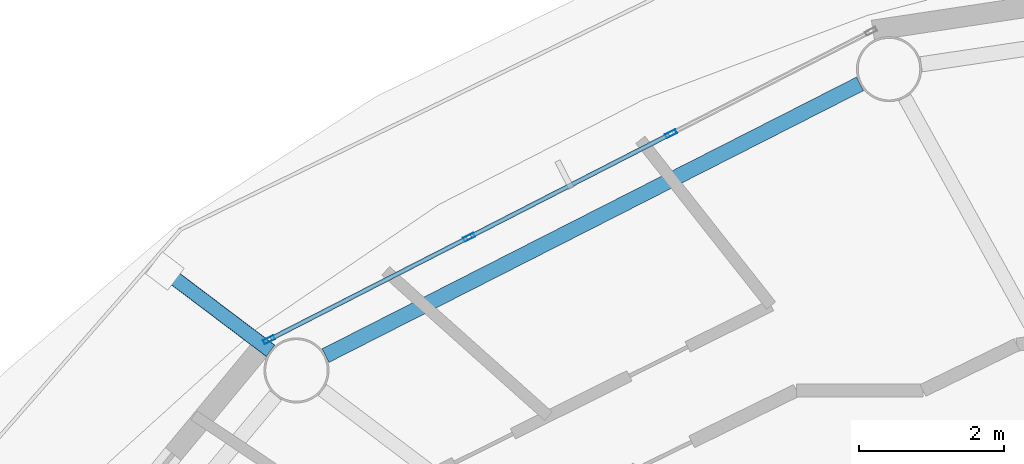
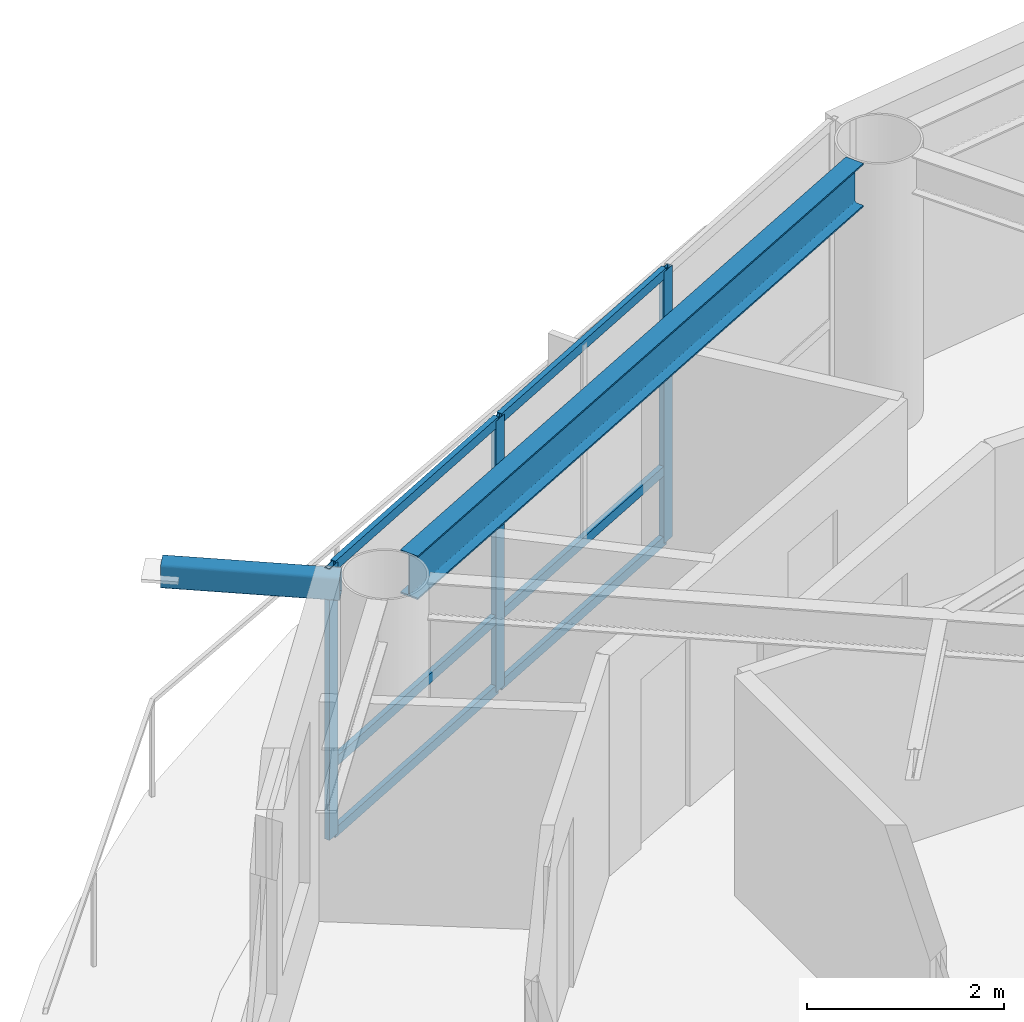
# One storey, part 8 of 23: 10 members, 1 beam, 1 element without a shape of its own.
"""IFC4 building model written with IfcOpenShell, lengths in metres."""

from ifc_helpers import new_model, si_unit, direction, frame, origin, origin_2d, place, context, subcontext, project, spatial, hollow_rectangle, i_section, extrude, material, layer, layer_set, material_profile, profile_set, type_object, element, aggregate, save


model = new_model("IFC4")

# Units and contexts
model_context = context("Model", 3, precision=1e-05, world=origin(), true_north=direction((0.0, 1.0)))
body_context = subcontext(model_context, "Body", "Model", "MODEL_VIEW")
ifc_project = project(units=[si_unit("LENGTHUNIT", "METRE"), si_unit("AREAUNIT", "SQUARE_METRE"), si_unit("VOLUMEUNIT", "CUBIC_METRE"), si_unit("PLANEANGLEUNIT", "RADIAN"), si_unit("MASSUNIT", "GRAM", prefix="KILO")], contexts=[model_context])

# Site, building, storey
site_placement = place(None, origin())
site = spatial("IfcSite", under=ifc_project, at=site_placement, CompositionType="ELEMENT")
building_placement = place(site_placement, origin())
building = spatial("IfcBuilding", under=site, at=building_placement, Name="Sarneth Arch Tower", CompositionType="ELEMENT")
storey_placement = place(building_placement, frame((0.0, 0.0, 231.60009765625)))
storey = spatial("IfcBuildingStorey", under=building, at=storey_placement, Name="L59", CompositionType="ELEMENT", Elevation=231.60009765625)

# Beam
ifc_material_1 = material(Name="Steel S355", Category="steel")
ifc_material_profile_1 = material_profile(ifc_material_1, i_section(OverallWidth=0.2109375, OverallDepth=0.5390625, WebThickness=0.01171875, FlangeThickness=0.018798828125, FilletRadius=0.01806640625, at=origin_2d()), Name="W530x109")
ifc_profile_set_1 = profile_set([ifc_material_profile_1], Name="Steel S355")
beam_type = type_object("IfcBeamType", Name="BM-RAD-530B", PredefinedType="BEAM", material=ifc_profile_set_1)
beam_placement = place(storey_placement, frame((37.80810546875, 59.534423828125, 3.09033203125), z_axis=(-0.891376248079, -0.453264144138, 0.0), x_axis=(0.453264144138, -0.891376248079, 0.0)))
element("IfcBeam", 1, at=beam_placement, inside=storey, type_object=beam_type, Name="L59 Perimeter spandrel beam 06", PredefinedType="BEAM", context=body_context, shape_type="SweptSolid", body=[
    extrude(i_section(OverallWidth=0.2109375, OverallDepth=0.5390625, WebThickness=0.01171875, FlangeThickness=0.018798828125, FilletRadius=0.01806640625, at=origin_2d()), origin(), (0.0, 0.0, 1.0), 8.281982421875),
])

# Curtain wall, members
ifc_material_2 = material(Name="Anodised aluminium Type AA25 and solar-control low-e laminated IGU", Category="aluminium")
ifc_layer = layer(ifc_material_2, 0.179931640625)
ifc_layer_set = layer_set([ifc_layer], Name="Anodised aluminium Type AA25 and solar-control low-e laminated IGU")
curtain_wall_type = type_object("IfcCurtainWallType", Name="CW-RES-HIGH", PredefinedType="NOTDEFINED", material=ifc_layer_set)
curtain_wall_placement = place(storey_placement, origin())
curtain_wall = element("IfcCurtainWall", 2, at=curtain_wall_placement, inside=storey, type_object=curtain_wall_type, Name="L59 Unitised curtain wall facet 06", PredefinedType="NOTDEFINED")
ifc_material_3 = material(Name="Anodised Aluminium 6063-T6", Category="aluminium")
ifc_material_profile_2 = material_profile(ifc_material_3, hollow_rectangle(XDim=0.06005859375, YDim=0.159912109375, WallThickness=0.00390625, at=origin_2d()), Name="AL-MULL-160x60x4")
ifc_profile_set_2 = profile_set([ifc_material_profile_2], Name="Anodised Aluminium 6063-T6")
member_type_1 = type_object("IfcMemberType", Name="CW-MULLION", PredefinedType="MULLION", material=ifc_profile_set_2)
member_1_placement = place(storey_placement, frame((35.197509765625, 58.844970703125, 0.0), z_axis=(0.0, 0.0, 1.0), x_axis=(0.455941901753, -0.890009540525, 0.0)))
member_1 = element("IfcMember", 3, at=member_1_placement, type_object=member_type_1, Name="CW-SYS-6 mullion 2", PredefinedType="MULLION", context=body_context, shape_type="SweptSolid", body=[
    extrude(hollow_rectangle(XDim=0.06005859375, YDim=0.159912109375, WallThickness=0.00390625, at=origin_2d()), origin(), (0.0, 0.0, 1.0), 3.35986328125),
])
member_2_placement = place(storey_placement, frame((32.407470703125, 57.415771484375, 0.0), z_axis=(0.0, 0.0, 1.0), x_axis=(0.455941901753, -0.890009540525, 0.0)))
member_2 = element("IfcMember", 4, at=member_2_placement, type_object=member_type_1, Name="CW-SYS-6 mullion 3", PredefinedType="MULLION", context=body_context, shape_type="SweptSolid", body=[
    extrude(hollow_rectangle(XDim=0.06005859375, YDim=0.159912109375, WallThickness=0.00390625, at=origin_2d()), origin(), (0.0, 0.0, 1.0), 3.35986328125),
])
member_3_placement = place(storey_placement, frame((29.644287109375, 56.000244140625, 0.0), z_axis=(0.0, 0.0, 1.0), x_axis=(0.455941901753, -0.890009540525, 0.0)))
member_3 = element("IfcMember", 5, at=member_3_placement, type_object=member_type_1, Name="CW-SYS-6 mullion 4", PredefinedType="MULLION", context=body_context, shape_type="SweptSolid", body=[
    extrude(hollow_rectangle(XDim=0.06005859375, YDim=0.159912109375, WallThickness=0.00390625, at=origin_2d()), origin(), (0.0, 0.0, 1.0), 3.35986328125),
])
ifc_material_4 = material(Name="Anodised Aluminium 6063-T6", Category="aluminium")
ifc_material_profile_3 = material_profile(ifc_material_4, hollow_rectangle(XDim=0.06005859375, YDim=0.1201171875, WallThickness=0.00390625, at=origin_2d()), Name="AL-TRAN-120x60x4")
ifc_profile_set_3 = profile_set([ifc_material_profile_3], Name="Anodised Aluminium 6063-T6")
member_type_2 = type_object("IfcMemberType", Name="CW-TRANSOM", PredefinedType="USERDEFINED", material=ifc_profile_set_3)
member_4_placement = place(storey_placement, frame((35.170654296875, 58.831298828125, 0.02978515625), z_axis=(-0.890017432405, -0.455926496286, 0.0), x_axis=(0.455926496286, -0.890017432405, 0.0)))
member_4 = element("IfcMember", 6, at=member_4_placement, type_object=member_type_2, Name="CW-SYS-6 transom 2.1", ObjectType="TRANSOM", PredefinedType="USERDEFINED", context=body_context, shape_type="SweptSolid", body=[
    extrude(hollow_rectangle(XDim=0.06005859375, YDim=0.1201171875, WallThickness=0.00390625, at=origin_2d()), origin(), (0.0, 0.0, 1.0), 3.07470703125),
])
member_5_placement = place(storey_placement, frame((35.170654296875, 58.831298828125, 0.89990234375), z_axis=(-0.890017432405, -0.455926496286, 0.0), x_axis=(0.455926496286, -0.890017432405, 0.0)))
member_5 = element("IfcMember", 7, at=member_5_placement, type_object=member_type_2, Name="CW-SYS-6 transom 2.2", ObjectType="TRANSOM", PredefinedType="USERDEFINED", context=body_context, shape_type="SweptSolid", body=[
    extrude(hollow_rectangle(XDim=0.06005859375, YDim=0.1201171875, WallThickness=0.00390625, at=origin_2d()), origin(), (0.0, 0.0, 1.0), 3.07470703125),
])
member_6_placement = place(storey_placement, frame((35.170654296875, 58.831298828125, 3.329833984375), z_axis=(-0.890017432405, -0.455926496286, 0.0), x_axis=(0.455926496286, -0.890017432405, 0.0)))
member_6 = element("IfcMember", 8, at=member_6_placement, type_object=member_type_2, Name="CW-SYS-6 transom 2.3", ObjectType="TRANSOM", PredefinedType="USERDEFINED", context=body_context, shape_type="SweptSolid", body=[
    extrude(hollow_rectangle(XDim=0.06005859375, YDim=0.1201171875, WallThickness=0.00390625, at=origin_2d()), origin(), (0.0, 0.0, 1.0), 3.07470703125),
])
member_7_placement = place(storey_placement, frame((32.380859375, 57.402099609375, 0.02978515625), z_axis=(-0.890022732705, -0.455916149384, 0.0), x_axis=(0.455916149384, -0.890022732705, 0.0)))
member_7 = element("IfcMember", 9, at=member_7_placement, type_object=member_type_2, Name="CW-SYS-6 transom 3.1", ObjectType="TRANSOM", PredefinedType="USERDEFINED", context=body_context, shape_type="SweptSolid", body=[
    extrude(hollow_rectangle(XDim=0.06005859375, YDim=0.1201171875, WallThickness=0.00390625, at=origin_2d()), origin(), (0.0, 0.0, 1.0), 3.044921875),
])
member_8_placement = place(storey_placement, frame((32.380859375, 57.402099609375, 0.89990234375), z_axis=(-0.890022732705, -0.455916149384, 0.0), x_axis=(0.455916149384, -0.890022732705, 0.0)))
member_8 = element("IfcMember", 10, at=member_8_placement, type_object=member_type_2, Name="CW-SYS-6 transom 3.2", ObjectType="TRANSOM", PredefinedType="USERDEFINED", context=body_context, shape_type="SweptSolid", body=[
    extrude(hollow_rectangle(XDim=0.06005859375, YDim=0.1201171875, WallThickness=0.00390625, at=origin_2d()), origin(), (0.0, 0.0, 1.0), 3.044921875),
])
member_9_placement = place(storey_placement, frame((32.380859375, 57.402099609375, 3.329833984375), z_axis=(-0.890022732705, -0.455916149384, 0.0), x_axis=(0.455916149384, -0.890022732705, 0.0)))
member_9 = element("IfcMember", 11, at=member_9_placement, type_object=member_type_2, Name="CW-SYS-6 transom 3.3", ObjectType="TRANSOM", PredefinedType="USERDEFINED", context=body_context, shape_type="SweptSolid", body=[
    extrude(hollow_rectangle(XDim=0.06005859375, YDim=0.1201171875, WallThickness=0.00390625, at=origin_2d()), origin(), (0.0, 0.0, 1.0), 3.044921875),
])
aggregate(curtain_wall, [member_1, member_2, member_3, member_4, member_5, member_6, member_7, member_8, member_9])

# Member
ifc_material_5 = material(Name="Steel S355", Category="steel")
ifc_material_profile_4 = material_profile(ifc_material_5, hollow_rectangle(XDim=0.199951171875, YDim=0.300048828125, WallThickness=0.012451171875, InnerFilletRadius=0.018798828125, OuterFilletRadius=0.03125, at=origin_2d()), Name="RHS300x200x12.5")
ifc_profile_set_4 = profile_set([ifc_material_profile_4], Name="Steel S355")
member_type_3 = type_object("IfcMemberType", Name="MEM-CANT-STRUT", PredefinedType="STRUT", material=ifc_profile_set_4)
member_10_placement = place(storey_placement, frame((29.665771484375, 55.84765625, 3.199951171875), z_axis=(-0.797991540924, 0.602668649105, 0.0), x_axis=(-0.602668649105, -0.797991540924, 0.0)))
element("IfcMember", 12, at=member_10_placement, inside=storey, type_object=member_type_3, Name="L59 Balcony cantilever bracket 07", PredefinedType="STRUT", context=body_context, shape_type="SweptSolid", body=[
    extrude(hollow_rectangle(XDim=0.199951171875, YDim=0.300048828125, WallThickness=0.012451171875, InnerFilletRadius=0.018798828125, OuterFilletRadius=0.03125, at=origin_2d()), origin(), (0.0, 0.0, 1.0), 1.827392578125),
])

save(model, "model.ifc")
